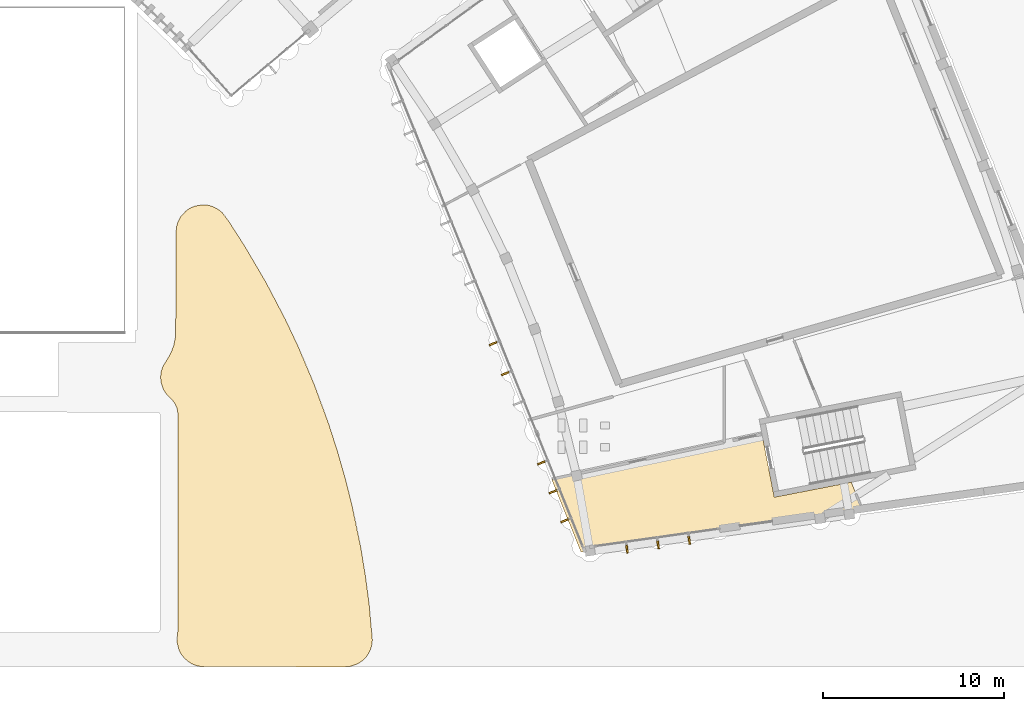
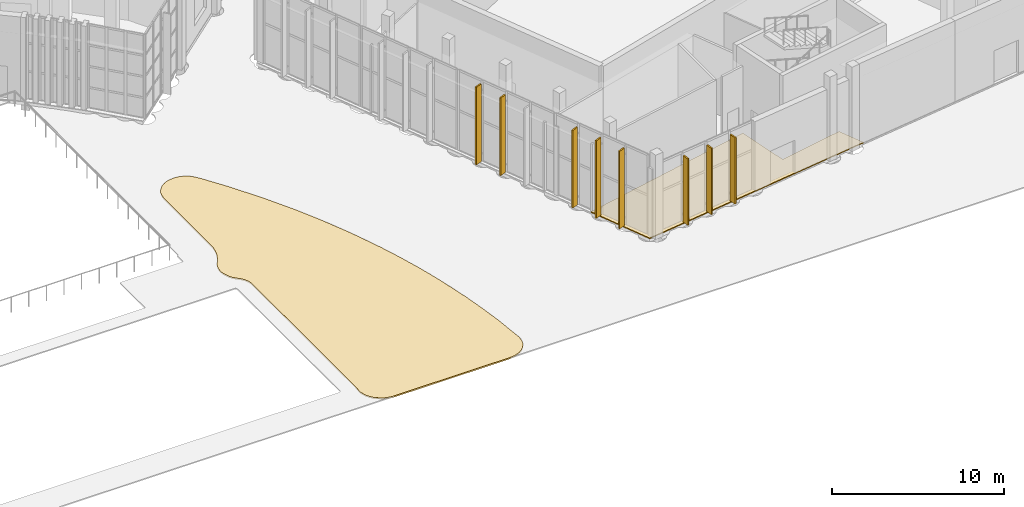
# One storey, part 140 of 155: 8 shading devices, 2 coverings.
"""IFC4 building model written with IfcOpenShell, lengths in metres."""

from ifc_helpers import new_model, si_unit, direction, frame, origin, origin_2d, place, context, subcontext, project, spatial, polyline, rectangle, outline, extrude, material, layer, layer_set, type_object, element, save


model = new_model("IFC4")

# Units and contexts
model_context = context("Model", 3, precision=1e-05, world=origin(), true_north=direction((0.0, 1.0)))
body_context = subcontext(model_context, "Body", "Model", "MODEL_VIEW")
ifc_project = project(units=[si_unit("LENGTHUNIT", "METRE"), si_unit("AREAUNIT", "SQUARE_METRE"), si_unit("VOLUMEUNIT", "CUBIC_METRE"), si_unit("PLANEANGLEUNIT", "RADIAN"), si_unit("MASSUNIT", "GRAM", prefix="KILO")], contexts=[model_context])

# Site, building, storey
site_placement = place(None, origin())
site = spatial("IfcSite", under=ifc_project, at=site_placement, CompositionType="ELEMENT")
building_placement = place(site_placement, origin())
building = spatial("IfcBuilding", under=site, at=building_placement, Name="Lunette Opera House", CompositionType="ELEMENT")
storey_placement = place(building_placement, origin())
storey = spatial("IfcBuildingStorey", under=building, at=storey_placement, Name="L00", CompositionType="ELEMENT", Elevation=0.0)

# Coverings
ifc_material_1 = material(Name="Turf on topsoil")
ifc_layer_1 = layer(ifc_material_1, 0.10009765625)
ifc_layer_set_1 = layer_set([ifc_layer_1], Name="Turf on topsoil")
covering_type_1 = type_object("IfcCoveringType", Name="FORECOURT LAWN 100", PredefinedType="FLOORING", material=ifc_layer_set_1)
covering_1_placement = place(storey_placement, frame((0.0, 0.0, -0.10009765625)))
element("IfcCovering", 1, at=covering_1_placement, inside=storey, type_object=covering_type_1, Name="Forecourt lawn 002", PredefinedType="FLOORING", context=body_context, shape_type="SweptSolid", body=[
    extrude(outline(polyline([(134.403076171875, 2.007080078125), (134.114990234375, 2.06494140625), (133.843017578125, 2.177001953125), (133.489990234375, 2.43896484375), (133.302978515625, 2.6669921875), (133.1640625, 2.926025390625), (133.056884765625, 3.35302734375), (133.10009765625, 4.009033203125), (133.09912109375, 16.0419921875), (133.06005859375, 16.2919921875), (132.944091796875, 16.56298828125), (132.81689453125, 16.736083984375), (132.47705078125, 17.070068359375), (132.31103515625, 17.323974609375), (132.1650390625, 17.7548828125), (132.14306640625, 18.05810546875), (132.18310546875, 18.35888671875), (132.282958984375, 18.64599609375), (132.626953125, 19.2041015625), (132.783935546875, 19.537109375), (132.8798828125, 19.81494140625), (132.97998046875, 20.320068359375), (133.0, 26.073974609375), (133.029052734375, 26.365966796875), (133.113037109375, 26.64599609375), (133.2509765625, 26.905029296875), (133.544921875, 27.23095703125), (133.7880859375, 27.39501953125), (134.05908203125, 27.508056640625), (134.491943359375, 27.573974609375), (134.783935546875, 27.547119140625), (135.06494140625, 27.464111328125), (135.324951171875, 27.326904296875), (135.552978515625, 27.14306640625), (135.904052734375, 26.677978515625), (136.76806640625, 25.3369140625), (137.9619140625, 23.305908203125), (139.0439453125, 21.240966796875), (139.72607421875, 19.799072265625), (140.64501953125, 17.62890625), (141.448974609375, 15.44091796875), (141.928955078125, 13.945068359375), (142.367919921875, 12.410888671875), (142.7490234375, 10.887939453125), (143.221923828125, 8.60498046875), (143.47900390625, 7.054931640625), (143.68701171875, 5.47412109375), (143.865966796875, 3.465087890625), (143.7939453125, 3.0380859375), (143.677978515625, 2.77197265625), (143.513916015625, 2.532958984375), (143.305908203125, 2.3310546875), (143.06396484375, 2.172119140625), (142.655029296875, 2.028076171875), (142.366943359375, 2.0), (134.403076171875, 2.007080078125)])), origin(), (0.0, 0.0, 1.0), 0.10009765625),
])
ifc_material_2 = material(Name="Cement screed")
ifc_layer_2 = layer(ifc_material_2, 0.070068359375)
ifc_layer_set_2 = layer_set([ifc_layer_2], Name="Cement screed")
covering_type_2 = type_object("IfcCoveringType", Name="SCREED FLOOR FINISH 70", PredefinedType="FLOORING", material=ifc_layer_set_2)
covering_2_placement = place(storey_placement, origin())
element("IfcCovering", 2, at=covering_2_placement, inside=storey, type_object=covering_type_2, Name="Floor finish Studio Corridor", PredefinedType="FLOORING", context=body_context, shape_type="SweptSolid", body=[
    extrude(outline(polyline([(168.10693359375, 10.134033203125), (155.416015625, 8.35009765625), (153.7880859375, 12.3779296875), (165.43798828125, 14.8740234375), (166.114990234375, 11.387939453125), (167.491943359375, 11.656005859375), (168.486083984375, 11.84912109375), (170.3759765625, 12.216064453125), (170.636962890625, 11.570068359375), (171.050048828125, 10.548095703125), (168.10693359375, 10.134033203125)])), origin(), (0.0, 0.0, 1.0), 0.070068359375),
])

# Shading devices
ifc_material_3 = material(Name="Powder-coated aluminium", Category="aluminium")
shading_device_type = type_object("IfcShadingDeviceType", Name="SOLAR FIN 100 X 450", PredefinedType="USERDEFINED", material=ifc_material_3)
for number, where, z_axis, x_axis, name in (
    (3, (150.554931640625, 19.887939453125, 0.11572265625), (0.0, 0.0, 1.0), (-0.927168162269, -0.374645430874, 0.0), "Solar fin SB-X2003 1"),
    (4, (151.22412109375, 18.23193359375, 0.11572265625), (0.0, 0.0, 1.0), (-0.927168162269, -0.374645430874, 0.0), "Solar fin SB-X2003 2"),
    (5, (153.220947265625, 13.2900390625, 0.11572265625), (0.0, 0.0, 1.0), (-0.927182546937, -0.374609829896, 0.0), "Solar fin SB-X2004 1"),
    (6, (153.866943359375, 11.68994140625, 0.11572265625), (0.0, 0.0, 1.0), (-0.927182546937, -0.374609829896, 0.0), "Solar fin SB-X2004 2"),
    (7, (154.513916015625, 10.089111328125, 0.11572265625), (0.0, 0.0, 1.0), (-0.927182546937, -0.374609829896, 0.0), "Solar fin SB-X2004 3"),
):
    element("IfcShadingDevice", number, at=place(storey_placement, frame(where, z_axis=z_axis, x_axis=x_axis)), inside=storey, type_object=shading_device_type, Name=name, ObjectType="SOLAR FIN", PredefinedType="USERDEFINED", context=body_context, shape_type="SweptSolid", body=[
        extrude(rectangle(XDim=0.449951171875, YDim=0.10009765625, at=origin_2d()), origin(), (0.0, 0.0, 1.0), 5.514892578125),
    ])
for number, where, z_axis, x_axis, name in (
    (8, (157.9619140625, 8.52099609375, 0.115234375), (0.0, 0.0, 1.0), (0.139209396087, -0.990262967116, 0.0), "Solar fin SB-X2005 1"),
    (9, (159.68505859375, 8.762939453125, 0.115234375), (0.0, 0.0, 1.0), (0.139209396087, -0.990262967116, 0.0), "Solar fin SB-X2005 2"),
    (10, (161.408935546875, 9.006103515625, 0.115234375), (0.0, 0.0, 1.0), (0.139209396087, -0.990262967116, 0.0), "Solar fin SB-X2005 3"),
):
    element("IfcShadingDevice", number, at=place(storey_placement, frame(where, z_axis=z_axis, x_axis=x_axis)), inside=storey, type_object=shading_device_type, Name=name, ObjectType="SOLAR FIN", PredefinedType="USERDEFINED", context=body_context, shape_type="SweptSolid", body=[
        extrude(rectangle(XDim=0.449951171875, YDim=0.10009765625, at=origin_2d()), origin(), (0.0, 0.0, 1.0), 4.715087890625),
    ])

save(model, "model.ifc")
